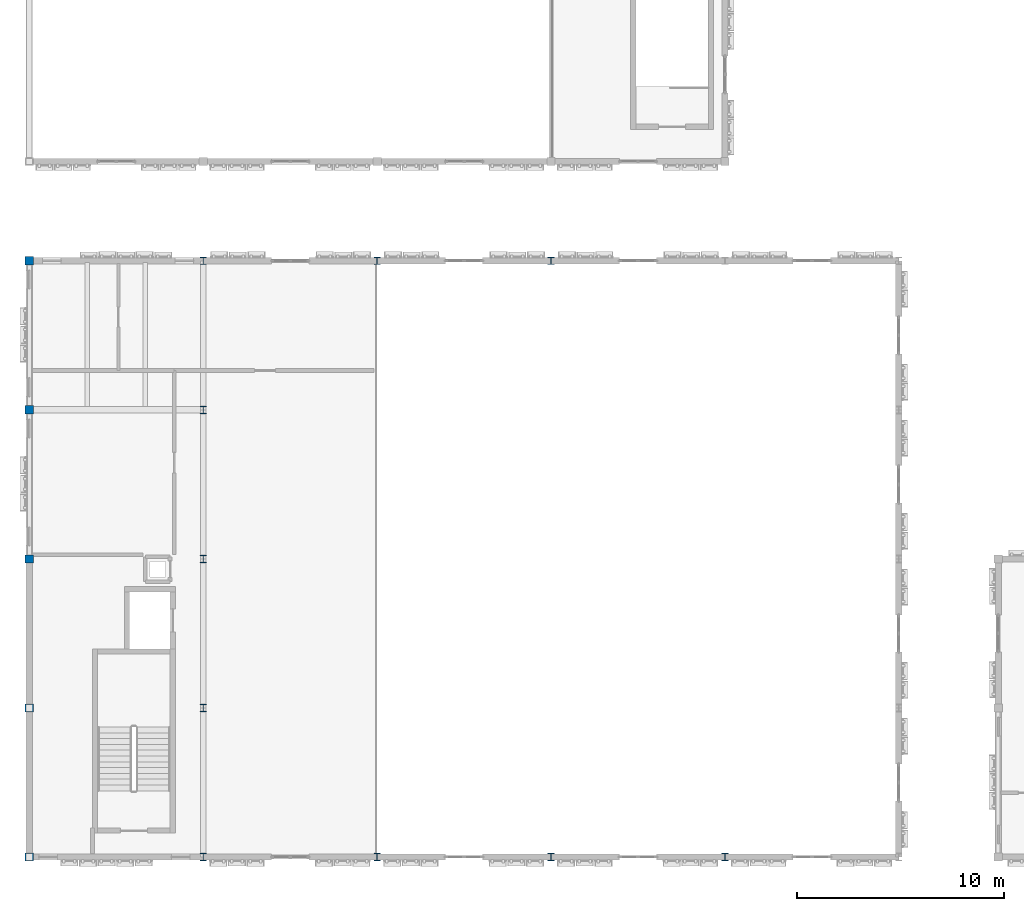
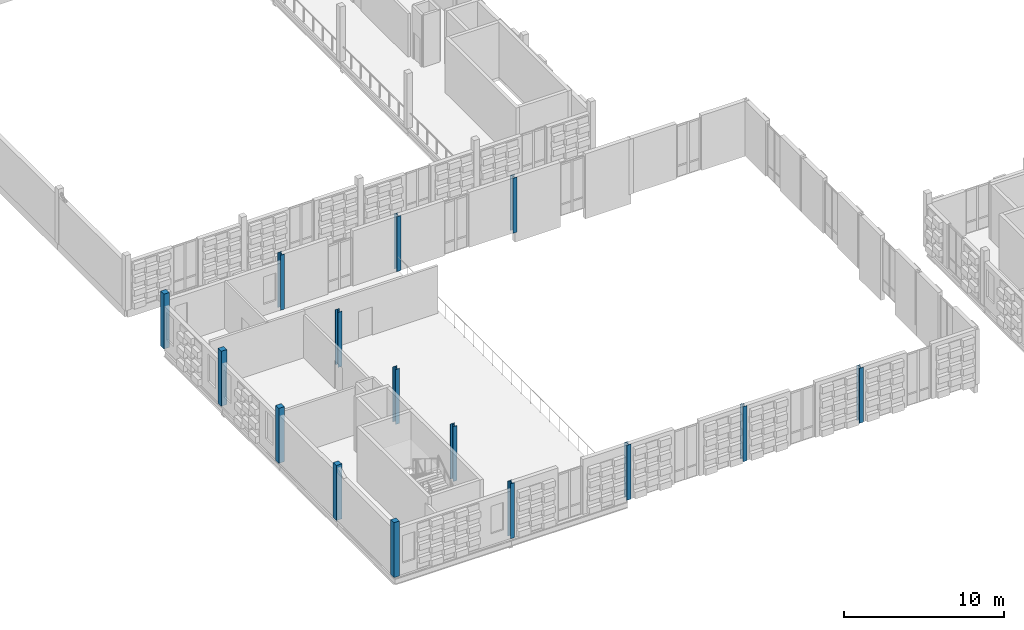
# One storey, part 1 of 81: 15 columns.
"""IFC4 building model written with IfcOpenShell, lengths in metres."""

from ifc_helpers import new_model, si_unit, direction, frame, origin, origin_2d, place, context, subcontext, project, spatial, rectangle, i_section, extrude, material, material_profile, profile_set, type_object, element, save


model = new_model("IFC4")

# Units and contexts
model_context = context("Model", 3, precision=1e-05, world=origin(), true_north=direction((0.0, 1.0)))
body_context = subcontext(model_context, "Body", "Model", "MODEL_VIEW")
ifc_project = project(units=[si_unit("LENGTHUNIT", "METRE"), si_unit("AREAUNIT", "SQUARE_METRE"), si_unit("VOLUMEUNIT", "CUBIC_METRE"), si_unit("PLANEANGLEUNIT", "RADIAN"), si_unit("MASSUNIT", "GRAM", prefix="KILO")], contexts=[model_context])

# Site, building, storey
site_placement = place(None, origin())
site = spatial("IfcSite", under=ifc_project, at=site_placement, CompositionType="ELEMENT")
building_placement = place(site_placement, origin())
building = spatial("IfcBuilding", under=site, at=building_placement, Name="Kahlenmark Community Centre", CompositionType="ELEMENT")
storey_placement = place(building_placement, frame((0.0, 0.0, 9.60009765625)))
storey = spatial("IfcBuildingStorey", under=building, at=storey_placement, Name="L02", CompositionType="ELEMENT", Elevation=9.60009765625)

# Columns
ifc_material_1 = material(Name="Glulam GL32h", Category="wood")
ifc_material_profile_1 = material_profile(ifc_material_1, rectangle(XDim=0.39990234375, YDim=0.39990234375, at=origin_2d()), Name="GL32h 400x400")
ifc_profile_set_1 = profile_set([ifc_material_profile_1], Name="Glulam GL32h")
column_type_1 = type_object("IfcColumnType", Name="CT-GL400", PredefinedType="COLUMN", material=ifc_profile_set_1)
for number, where, z_axis, x_axis, name in (
    (1, (4.0, 8.800048828125, 0.0), (0.0, 0.0, 1.0), (1.0, 0.0, 0.0), "L02 column (4.0, 8.8)"),
    (2, (4.0, 16.0, 0.0), (0.0, 0.0, 1.0), (1.0, 0.0, 0.0), "L02 column (4.0, 16.0)"),
    (3, (4.0, 23.199951171875, 0.0), (0.0, 0.0, 1.0), (1.0, 0.0, 0.0), "L02 column (4.0, 23.2)"),
    (4, (4.0, 30.39990234375, 0.0), (0.0, 0.0, 1.0), (1.0, 0.0, 0.0), "L02 column (4.0, 30.4)"),
    (5, (4.0, 37.60009765625, 0.0), (0.0, 0.0, 1.0), (1.0, 0.0, 0.0), "L02 column (4.0, 37.6)"),
):
    element("IfcColumn", number, at=place(storey_placement, frame(where, z_axis=z_axis, x_axis=x_axis)), inside=storey, type_object=column_type_1, Name=name, PredefinedType="COLUMN", context=body_context, shape_type="SweptSolid", body=[
        extrude(rectangle(XDim=0.39990234375, YDim=0.39990234375, at=origin_2d()), origin(), (0.0, 0.0, 1.0), 4.199951171875),
    ])
ifc_material_2 = material(Name="Steel S355", Category="steel")
ifc_material_profile_2 = material_profile(ifc_material_2, i_section(OverallWidth=0.300048828125, OverallDepth=0.360107421875, WebThickness=0.012451171875, FlangeThickness=0.0224609375, at=origin_2d()), Name="HEB 360")
ifc_profile_set_2 = profile_set([ifc_material_profile_2], Name="Steel S355")
column_type_2 = type_object("IfcColumnType", Name="CT-HEB360", PredefinedType="COLUMN", material=ifc_profile_set_2)
for number, where, z_axis, x_axis, name in (
    (6, (12.39990234375, 8.800048828125, 0.0), (0.0, 0.0, 1.0), (1.0, 0.0, 0.0), "L02 column (12.4, 8.8)"),
    (7, (12.39990234375, 16.0, 0.0), (0.0, 0.0, 1.0), (1.0, 0.0, 0.0), "L02 column (12.4, 16.0)"),
    (8, (12.39990234375, 23.199951171875, 0.0), (0.0, 0.0, 1.0), (1.0, 0.0, 0.0), "L02 column (12.4, 23.2)"),
    (9, (12.39990234375, 30.39990234375, 0.0), (0.0, 0.0, 1.0), (1.0, 0.0, 0.0), "L02 column (12.4, 30.4)"),
    (10, (12.39990234375, 37.60009765625, 0.0), (0.0, 0.0, 1.0), (1.0, 0.0, 0.0), "L02 column (12.4, 37.6)"),
    (11, (20.800048828125, 8.800048828125, 0.0), (0.0, 0.0, 1.0), (1.0, 0.0, 0.0), "L02 column (20.8, 8.8)"),
    (12, (20.800048828125, 37.60009765625, 0.0), (0.0, 0.0, 1.0), (1.0, 0.0, 0.0), "L02 column (20.8, 37.6)"),
    (13, (29.199951171875, 8.800048828125, 0.0), (0.0, 0.0, 1.0), (1.0, 0.0, 0.0), "L02 column (29.2, 8.8)"),
    (14, (29.199951171875, 37.60009765625, 0.0), (0.0, 0.0, 1.0), (1.0, 0.0, 0.0), "L02 column (29.2, 37.6)"),
    (15, (37.60009765625, 8.800048828125, 0.0), (0.0, 0.0, 1.0), (1.0, 0.0, 0.0), "L02 column (37.6, 8.8)"),
):
    element("IfcColumn", number, at=place(storey_placement, frame(where, z_axis=z_axis, x_axis=x_axis)), inside=storey, type_object=column_type_2, Name=name, PredefinedType="COLUMN", context=body_context, shape_type="SweptSolid", body=[
        extrude(i_section(OverallWidth=0.300048828125, OverallDepth=0.360107421875, WebThickness=0.012451171875, FlangeThickness=0.0224609375, at=origin_2d()), origin(), (0.0, 0.0, 1.0), 4.199951171875),
    ])

save(model, "model.ifc")
